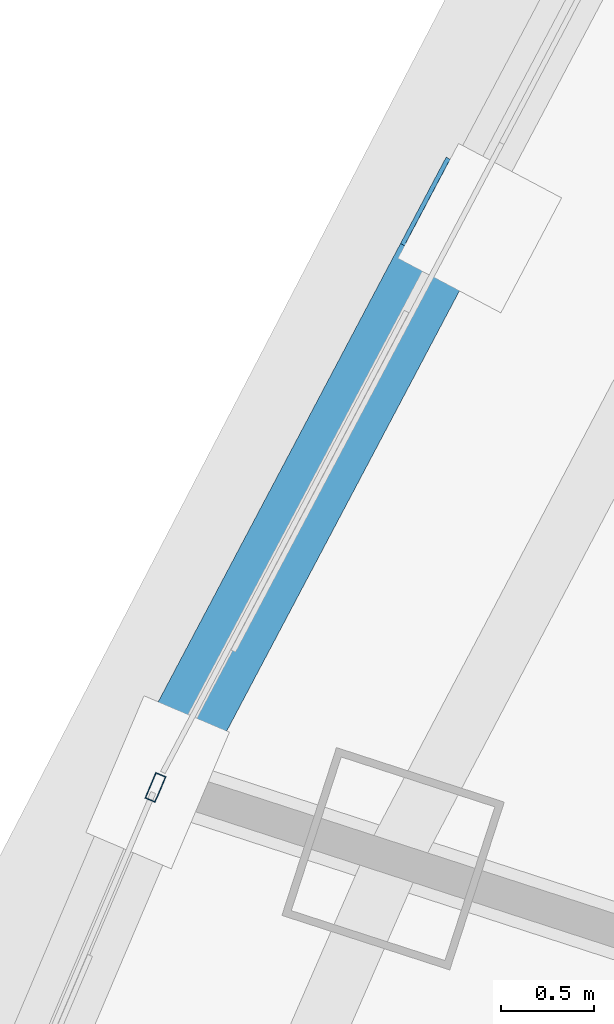
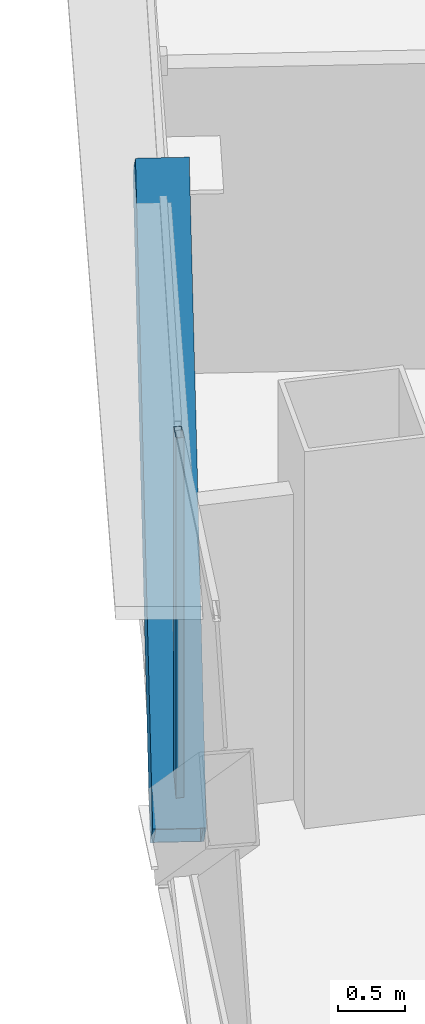
# One storey, part 8 of 40: 2 members, 1 element without a shape of its own.
"""IFC4 building model written with IfcOpenShell, lengths in metres."""

from ifc_helpers import new_model, si_unit, direction, frame, origin, origin_2d, place, context, subcontext, project, spatial, hollow_rectangle, extrude, source, transform, mapped, material, layer, layer_set, material_profile, profile_set, type_object, element, aggregate, save


model = new_model("IFC4")

# Units and contexts
model_context = context("Model", 3, precision=1e-05, world=origin(), true_north=direction((0.0, 1.0)))
body_context = subcontext(model_context, "Body", "Model", "MODEL_VIEW")
ifc_project = project(units=[si_unit("LENGTHUNIT", "METRE"), si_unit("AREAUNIT", "SQUARE_METRE"), si_unit("VOLUMEUNIT", "CUBIC_METRE"), si_unit("PLANEANGLEUNIT", "RADIAN"), si_unit("MASSUNIT", "GRAM", prefix="KILO"), si_unit("THERMODYNAMICTEMPERATUREUNIT", "KELVIN"), si_unit("POWERUNIT", "WATT")], contexts=[model_context])

# Site, building, storey
site_placement = place(None, origin())
site = spatial("IfcSite", under=ifc_project, at=site_placement, CompositionType="ELEMENT")
building_placement = place(site_placement, origin())
building = spatial("IfcBuilding", under=site, at=building_placement, Name="Yunzhuo Pagoda Commons", CompositionType="ELEMENT")
storey_placement = place(building_placement, frame((0.0, 0.0, 159.27001953125)))
storey = spatial("IfcBuildingStorey", under=building, at=storey_placement, Name="L40", CompositionType="ELEMENT", Elevation=159.27001953125)

# Member
ifc_material_1 = material(Name="Structural steel Q355B", Category="steel")
ifc_material_profile_1 = material_profile(ifc_material_1, hollow_rectangle(XDim=0.39990234375, YDim=0.719970703125, WallThickness=0.02392578125, at=origin_2d()), Name="Structural steel Q355B")
ifc_profile_set_1 = profile_set([ifc_material_profile_1], Name="Structural steel Q355B")
member_type_1 = type_object("IfcMemberType", Name="M-DL2 Brace BOX 720x400x24", PredefinedType="BRACE", material=ifc_profile_set_1)
shared_shape_1 = source(origin(), body_context, "Body", "SweptSolid", [
    extrude(hollow_rectangle(XDim=0.39990234375, YDim=0.719970703125, WallThickness=0.02392578125, at=origin_2d()), origin(), (0.0, 0.0, 1.0), 5.0361328125),
])
member_1_placement = place(storey_placement, frame((16.817138671875, 43.831787109375, -0.260009765625), z_axis=(0.319078548014, 0.603544199753, 0.73070053999), x_axis=(-0.884057218692, 0.467378683809, 0.0)))
element("IfcMember", 1, at=member_1_placement, inside=storey, type_object=member_type_1, Name="L40 facade diamond brace F3.2R", PredefinedType="BRACE", context=body_context, shape_type="MappedRepresentation", body=[
    mapped(shared_shape_1, transform((0.0, 0.0, 0.0), scale=1.0)),
])

# Curtain wall, member
ifc_material_2 = material(Name="Anodized aluminium 6063-T6", Category="aluminium")
ifc_layer = layer(ifc_material_2, 0.14990234375)
ifc_layer_set = layer_set([ifc_layer], Name="Anodized aluminium 6063-T6")
curtain_wall_type = type_object("IfcCurtainWallType", Name="CW-MID Mid-Zone Ribbon Curtain Wall", PredefinedType="NOTDEFINED", material=ifc_layer_set)
curtain_wall_placement = place(storey_placement, origin())
curtain_wall = element("IfcCurtainWall", 2, at=curtain_wall_placement, inside=storey, type_object=curtain_wall_type, Name="L40 curtain wall CW-L40-F3B4", PredefinedType="NOTDEFINED")
ifc_material_profile_2 = material_profile(ifc_material_2, hollow_rectangle(XDim=0.06005859375, YDim=0.14990234375, WallThickness=0.00390625, at=origin_2d()), Name="Anodized aluminium 6063-T6")
ifc_profile_set_2 = profile_set([ifc_material_profile_2], Name="Anodized aluminium 6063-T6")
member_type_2 = type_object("IfcMemberType", Name="CW-MID-M Mullion RHS 150x60x4", PredefinedType="MULLION", material=ifc_profile_set_2)
shared_shape_2 = source(origin(), body_context, "Body", "SweptSolid", [
    extrude(hollow_rectangle(XDim=0.06005859375, YDim=0.14990234375, WallThickness=0.00390625, at=origin_2d()), origin(), (0.0, 0.0, 1.0), 3.419677734375),
])
member_2_placement = place(storey_placement, frame((16.805419921875, 43.80419921875, 0.000244140625), z_axis=(0.0, 0.0, 1.0), x_axis=(0.92021678471, -0.391409081572, 0.0)))
member_2 = element("IfcMember", 3, at=member_2_placement, type_object=member_type_2, Name="CW mullion 1", PredefinedType="MULLION", context=body_context, shape_type="MappedRepresentation", body=[
    mapped(shared_shape_2, transform((0.0, 0.0, 0.0), scale=1.0)),
])
aggregate(curtain_wall, [member_2])

save(model, "model.ifc")
